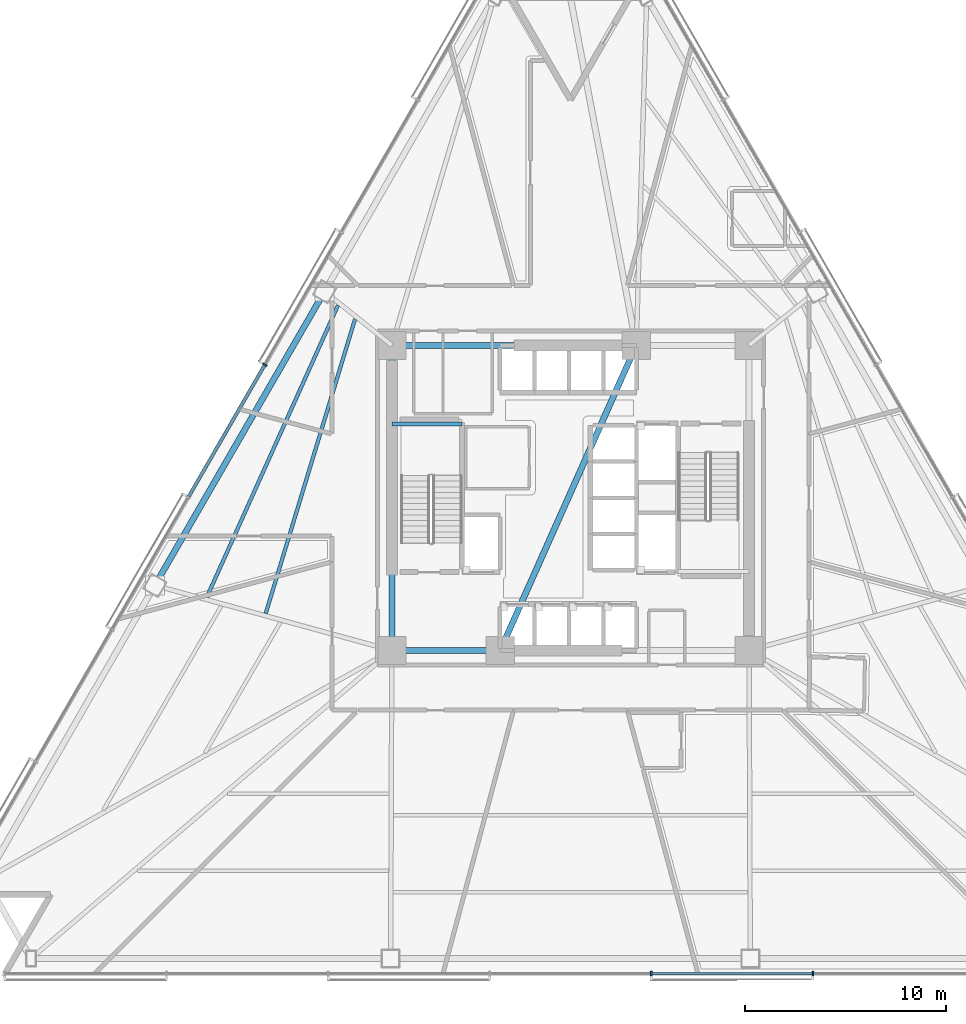
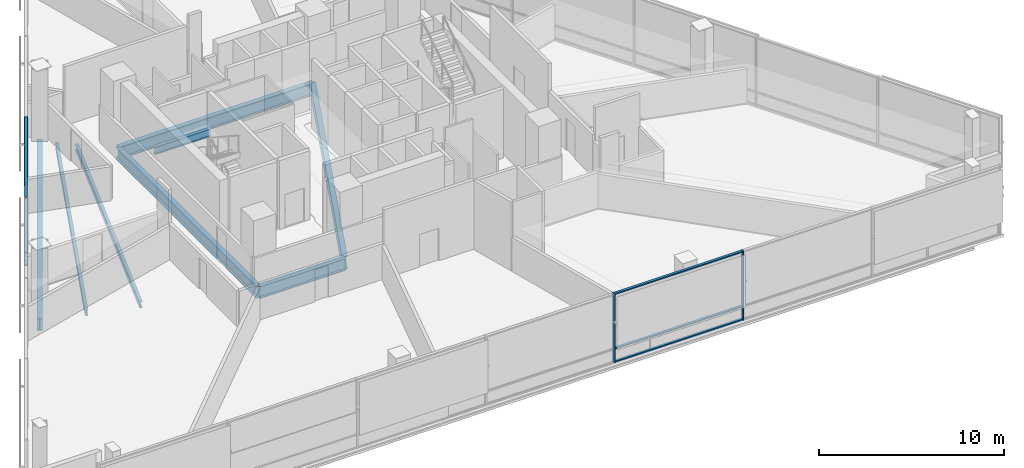
# One storey, part 3 of 17: 9 members, 8 beams, 2 elements without a shape of their own.
"""IFC4 building model written with IfcOpenShell, lengths in metres."""

from ifc_helpers import new_model, si_unit, direction, frame, origin, origin_2d, place, context, subcontext, project, spatial, rectangle, i_section, extrude, material, layer, layer_set, material_profile, profile_set, type_object, element, aggregate, save


model = new_model("IFC4")

# Units and contexts
model_context = context("Model", 3, precision=1e-05, world=origin(), true_north=direction((0.0, 1.0)))
body_context = subcontext(model_context, "Body", "Model", "MODEL_VIEW")
ifc_project = project(units=[si_unit("LENGTHUNIT", "METRE"), si_unit("AREAUNIT", "SQUARE_METRE"), si_unit("VOLUMEUNIT", "CUBIC_METRE"), si_unit("PLANEANGLEUNIT", "RADIAN"), si_unit("MASSUNIT", "GRAM", prefix="KILO")], contexts=[model_context])

# Site, building, storey
site_placement = place(None, origin())
site = spatial("IfcSite", under=ifc_project, at=site_placement, CompositionType="ELEMENT")
building_placement = place(site_placement, origin())
building = spatial("IfcBuilding", under=site, at=building_placement, Name="Tharavind Bronze Gate", CompositionType="ELEMENT")
storey_placement = place(building_placement, frame((0.0, 0.0, 52.25)))
storey = spatial("IfcBuildingStorey", under=building, at=storey_placement, Name="L12", CompositionType="ELEMENT", Elevation=52.25)

# Curtain wall, member
ifc_material_1 = material(Name="Anodised Bronze Aluminium", Category="aluminium")
ifc_layer = layer(ifc_material_1, 0.219970703125)
ifc_layer_set = layer_set([ifc_layer], Name="Anodised Bronze Aluminium")
curtain_wall_type = type_object("IfcCurtainWallType", Name="UNITISED CURTAIN WALL HOTEL", PredefinedType="USERDEFINED", material=ifc_layer_set)
curtain_wall_1_placement = place(storey_placement, origin())
curtain_wall_1 = element("IfcCurtainWall", 1, at=curtain_wall_1_placement, inside=storey, type_object=curtain_wall_type, Name="L12 unitised curtain wall hotel CW-L12-S1", ObjectType="UNITISED CURTAIN WALL", PredefinedType="USERDEFINED")
member_type_1 = type_object("IfcMemberType", Name="CURTAIN WALL MULLION 80X220", PredefinedType="MULLION", material=ifc_material_1)
member_1_placement = place(storey_placement, frame((-15.223876953125, 6.63134765625, 0.0), z_axis=(0.0, 0.0, 1.0), x_axis=(-0.500001511499, -0.866024531118, 0.0)))
member_1 = element("IfcMember", 2, at=member_1_placement, type_object=member_type_1, Name="CW-L12-S1 mullion 4", PredefinedType="MULLION", context=body_context, shape_type="SweptSolid", body=[
    extrude(rectangle(XDim=0.080078125, YDim=0.219970703125, at=origin_2d()), origin(), (0.0, 0.0, 1.0), 4.56005859375),
])

# Curtain wall, members
curtain_wall_2_placement = place(storey_placement, origin())
curtain_wall_2 = element("IfcCurtainWall", 3, at=curtain_wall_2_placement, inside=storey, type_object=curtain_wall_type, Name="L12 unitised curtain wall hotel CW-L12-S2", ObjectType="UNITISED CURTAIN WALL", PredefinedType="USERDEFINED")
member_2_placement = place(storey_placement, frame((4.025146484375, -23.699951171875, 0.0), z_axis=(0.0, 0.0, 1.0), x_axis=(1.0, 0.0, 0.0)))
member_2 = element("IfcMember", 4, at=member_2_placement, type_object=member_type_1, Name="CW-L12-S2 mullion 5", PredefinedType="MULLION", context=body_context, shape_type="SweptSolid", body=[
    extrude(rectangle(XDim=0.080078125, YDim=0.219970703125, at=origin_2d()), origin(), (0.0, 0.0, 1.0), 4.56005859375),
])
member_3_placement = place(storey_placement, frame((12.0751953125, -23.699951171875, 0.0), z_axis=(0.0, 0.0, 1.0), x_axis=(1.0, 0.0, 0.0)))
member_3 = element("IfcMember", 5, at=member_3_placement, type_object=member_type_1, Name="CW-L12-S2 mullion 6", PredefinedType="MULLION", context=body_context, shape_type="SweptSolid", body=[
    extrude(rectangle(XDim=0.080078125, YDim=0.219970703125, at=origin_2d()), origin(), (0.0, 0.0, 1.0), 4.56005859375),
])

# Member
member_type_2 = type_object("IfcMemberType", Name="CURTAIN WALL TRANSOM 80X160", PredefinedType="USERDEFINED", material=ifc_material_1)
member_4_placement = place(storey_placement, frame((-17.1279296875, 3.33349609375, 0.0), z_axis=(0.0, 0.0, 1.0), x_axis=(-0.500001511499, -0.866024531118, 0.0)))
member_4 = element("IfcMember", 6, at=member_4_placement, type_object=member_type_2, Name="CW-L12-S1 transom TB4", ObjectType="TRANSOM", PredefinedType="USERDEFINED", context=body_context, shape_type="SweptSolid", body=[
    extrude(rectangle(XDim=7.5478515625, YDim=0.159912109375, at=origin_2d()), origin(), (0.0, 0.0, 1.0), 0.080078125),
])

member_5_placement = place(storey_placement, frame((-17.1279296875, 3.33349609375, 0.85986328125), z_axis=(0.0, 0.0, 1.0), x_axis=(-0.500001511499, -0.866024531118, 0.0)))
member_5 = element("IfcMember", 7, at=member_5_placement, type_object=member_type_2, Name="CW-L12-S1 transom TS4", ObjectType="TRANSOM", PredefinedType="USERDEFINED", context=body_context, shape_type="SweptSolid", body=[
    extrude(rectangle(XDim=7.5478515625, YDim=0.159912109375, at=origin_2d()), origin(), (0.0, 0.0, 1.0), 0.080078125),
])

member_6_placement = place(storey_placement, frame((-17.1279296875, 3.33349609375, 4.47998046875), z_axis=(0.0, 0.0, 1.0), x_axis=(-0.500001511499, -0.866024531118, 0.0)))
member_6 = element("IfcMember", 8, at=member_6_placement, type_object=member_type_2, Name="CW-L12-S1 transom TT4", ObjectType="TRANSOM", PredefinedType="USERDEFINED", context=body_context, shape_type="SweptSolid", body=[
    extrude(rectangle(XDim=7.5478515625, YDim=0.159912109375, at=origin_2d()), origin(), (0.0, 0.0, 1.0), 0.080078125),
])

aggregate(curtain_wall_1, [member_1, member_4, member_5, member_6])

member_7_placement = place(storey_placement, frame((8.05029296875, -23.699951171875, 0.0), z_axis=(0.0, 0.0, 1.0), x_axis=(1.0, 0.0, 0.0)))
member_7 = element("IfcMember", 9, at=member_7_placement, type_object=member_type_2, Name="CW-L12-S2 transom TB5", ObjectType="TRANSOM", PredefinedType="USERDEFINED", context=body_context, shape_type="SweptSolid", body=[
    extrude(rectangle(XDim=7.982177734375, YDim=0.159912109375, at=origin_2d()), origin(), (0.0, 0.0, 1.0), 0.080078125),
])

member_8_placement = place(storey_placement, frame((8.05029296875, -23.699951171875, 0.85986328125), z_axis=(0.0, 0.0, 1.0), x_axis=(1.0, 0.0, 0.0)))
member_8 = element("IfcMember", 10, at=member_8_placement, type_object=member_type_2, Name="CW-L12-S2 transom TS5", ObjectType="TRANSOM", PredefinedType="USERDEFINED", context=body_context, shape_type="SweptSolid", body=[
    extrude(rectangle(XDim=7.982177734375, YDim=0.159912109375, at=origin_2d()), origin(), (0.0, 0.0, 1.0), 0.080078125),
])

member_9_placement = place(storey_placement, frame((8.05029296875, -23.699951171875, 4.47998046875), z_axis=(0.0, 0.0, 1.0), x_axis=(1.0, 0.0, 0.0)))
member_9 = element("IfcMember", 11, at=member_9_placement, type_object=member_type_2, Name="CW-L12-S2 transom TT5", ObjectType="TRANSOM", PredefinedType="USERDEFINED", context=body_context, shape_type="SweptSolid", body=[
    extrude(rectangle(XDim=7.982177734375, YDim=0.159912109375, at=origin_2d()), origin(), (0.0, 0.0, 1.0), 0.080078125),
])

aggregate(curtain_wall_2, [member_2, member_3, member_7, member_8, member_9])

# Beams
ifc_material_2 = material(Name="Steel S355", Category="steel")
ifc_material_profile_1 = material_profile(ifc_material_2, i_section(OverallWidth=0.199951171875, OverallDepth=0.5, WebThickness=0.01025390625, FlangeThickness=0.01611328125, at=origin_2d()), Name="IPE500")
ifc_profile_set_1 = profile_set([ifc_material_profile_1], Name="Steel S355")
beam_type_1 = type_object("IfcBeamType", Name="PRIMARY GIRDER IPE500", PredefinedType="USERDEFINED", material=ifc_profile_set_1)
beam_1_placement = place(storey_placement, frame((-8.89990234375, 3.679931640625, 1.925048828125), z_axis=(1.0, 0.0, 0.0), x_axis=(0.0, 1.0, 0.0)))
element("IfcBeam", 12, at=beam_1_placement, inside=storey, type_object=beam_type_1, Name="L12 primary girder ipe500 BM-LD-ST1-L12-1", ObjectType="GIRDER", PredefinedType="USERDEFINED", context=body_context, shape_type="SweptSolid", body=[
    extrude(i_section(OverallWidth=0.199951171875, OverallDepth=0.5, WebThickness=0.01025390625, FlangeThickness=0.01611328125, at=origin_2d()), origin(), (0.0, 0.0, 1.0), 3.5),
])
ifc_material_profile_2 = material_profile(ifc_material_2, i_section(OverallWidth=0.300048828125, OverallDepth=0.800048828125, WebThickness=0.017578125, FlangeThickness=0.032958984375, at=origin_2d()), Name="HE800B")
ifc_profile_set_2 = profile_set([ifc_material_profile_2], Name="Steel S355")
beam_type_2 = type_object("IfcBeamType", Name="RING GIRDER HE800B", PredefinedType="USERDEFINED", material=ifc_profile_set_2)
beam_2_placement = place(storey_placement, frame((-8.89990234375, -7.60009765625, -0.574951171875), z_axis=(1.0, 0.0, 0.0), x_axis=(0.0, 1.0, 0.0)))
element("IfcBeam", 13, at=beam_2_placement, inside=storey, type_object=beam_type_2, Name="L12 ring girder he800b BM-L12-CR1", ObjectType="GIRDER", PredefinedType="USERDEFINED", context=body_context, shape_type="SweptSolid", body=[
    extrude(i_section(OverallWidth=0.300048828125, OverallDepth=0.800048828125, WebThickness=0.017578125, FlangeThickness=0.032958984375, at=origin_2d()), origin(), (0.0, 0.0, 1.0), 5.39990234375),
])
beam_3_placement = place(storey_placement, frame((3.280029296875, 7.60009765625, -0.574951171875), z_axis=(-1.0, 0.0, 0.0), x_axis=(0.0, -1.0, 0.0)))
element("IfcBeam", 14, at=beam_3_placement, inside=storey, type_object=beam_type_2, Name="L12 ring girder he800b BM-L12-CR5", ObjectType="GIRDER", PredefinedType="USERDEFINED", context=body_context, shape_type="SweptSolid", body=[
    extrude(i_section(OverallWidth=0.300048828125, OverallDepth=0.800048828125, WebThickness=0.017578125, FlangeThickness=0.032958984375, at=origin_2d()), origin(), (0.0, 0.0, 1.0), 12.179931640625),
])
beam_4_placement = place(storey_placement, frame((-8.89990234375, 7.60009765625, -0.574951171875), z_axis=(0.0, -1.0, 0.0), x_axis=(1.0, 0.0, 0.0)))
element("IfcBeam", 15, at=beam_4_placement, inside=storey, type_object=beam_type_2, Name="L12 ring girder he800b BM-L12-CR6", ObjectType="GIRDER", PredefinedType="USERDEFINED", context=body_context, shape_type="SweptSolid", body=[
    extrude(i_section(OverallWidth=0.300048828125, OverallDepth=0.800048828125, WebThickness=0.017578125, FlangeThickness=0.032958984375, at=origin_2d()), origin(), (0.0, 0.0, 1.0), 15.2001953125),
])
beam_5_placement = place(storey_placement, frame((-3.5, -7.60009765625, -0.574951171875), z_axis=(0.407361644566, 0.913266932795, 0.0), x_axis=(-0.913266932795, 0.407361644566, 0.0)))
element("IfcBeam", 16, at=beam_5_placement, inside=storey, type_object=beam_type_2, Name="L12 ring girder he800b BM-L12-CR7", ObjectType="GIRDER", PredefinedType="USERDEFINED", context=body_context, shape_type="SweptSolid", body=[
    extrude(i_section(OverallWidth=0.300048828125, OverallDepth=0.800048828125, WebThickness=0.017578125, FlangeThickness=0.032958984375, at=origin_2d()), origin(), (0.0, 0.0, 1.0), 16.643798828125),
])
beam_6_placement = place(storey_placement, frame((-12.252197265625, 10.278564453125, -0.574951171875), z_axis=(-0.50000832373, -0.866020598023, 0.0), x_axis=(0.866020598023, -0.50000832373, 0.0)))
element("IfcBeam", 17, at=beam_6_placement, inside=storey, type_object=beam_type_2, Name="L12 ring girder he800b BM-L12-PRG02", ObjectType="GIRDER", PredefinedType="USERDEFINED", context=body_context, shape_type="SweptSolid", body=[
    extrude(i_section(OverallWidth=0.300048828125, OverallDepth=0.800048828125, WebThickness=0.017578125, FlangeThickness=0.032958984375, at=origin_2d()), origin(), (0.0, 0.0, 1.0), 16.904541015625),
])
ifc_material_profile_3 = material_profile(ifc_material_2, i_section(OverallWidth=0.179931640625, OverallDepth=0.39990234375, WebThickness=0.008544921875, FlangeThickness=0.013427734375, at=origin_2d()), Name="IPE400")
ifc_profile_set_3 = profile_set([ifc_material_profile_3], Name="Steel S355")
beam_type_3 = type_object("IfcBeamType", Name="SECONDARY FLOOR JOIST IPE400", PredefinedType="JOIST", material=ifc_profile_set_3)
beam_7_placement = place(storey_placement, frame((-10.72900390625, 8.915771484375, -0.375), z_axis=(-0.290410798392, -0.956902068227, 0.0), x_axis=(0.956902068227, -0.290410798392, 0.0)))
element("IfcBeam", 18, at=beam_7_placement, inside=storey, type_object=beam_type_3, Name="L12 secondary floor joist ipe400 BM-L12-JSTA02", PredefinedType="JOIST", context=body_context, shape_type="SweptSolid", body=[
    extrude(i_section(OverallWidth=0.179931640625, OverallDepth=0.39990234375, WebThickness=0.008544921875, FlangeThickness=0.013427734375, at=origin_2d()), origin(), (0.0, 0.0, 1.0), 15.334716796875),
])
beam_8_placement = place(storey_placement, frame((-11.579833984375, 9.595458984375, -0.375), z_axis=(-0.40998786392, -0.91209097761, 0.0), x_axis=(0.91209097761, -0.40998786392, 0.0)))
element("IfcBeam", 19, at=beam_8_placement, inside=storey, type_object=beam_type_3, Name="L12 secondary floor joist ipe400 BM-L12-JSTB02", PredefinedType="JOIST", context=body_context, shape_type="SweptSolid", body=[
    extrude(i_section(OverallWidth=0.179931640625, OverallDepth=0.39990234375, WebThickness=0.008544921875, FlangeThickness=0.013427734375, at=origin_2d()), origin(), (0.0, 0.0, 1.0), 15.949951171875),
])

save(model, "model.ifc")
